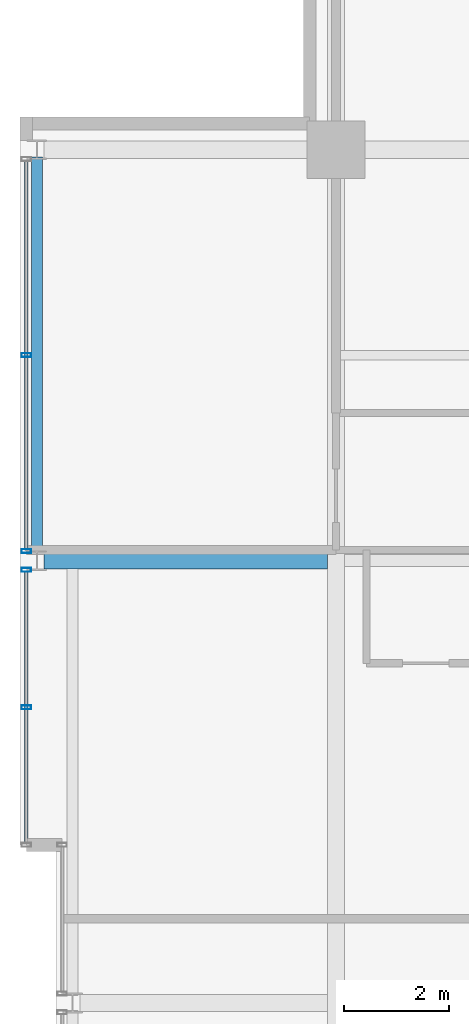
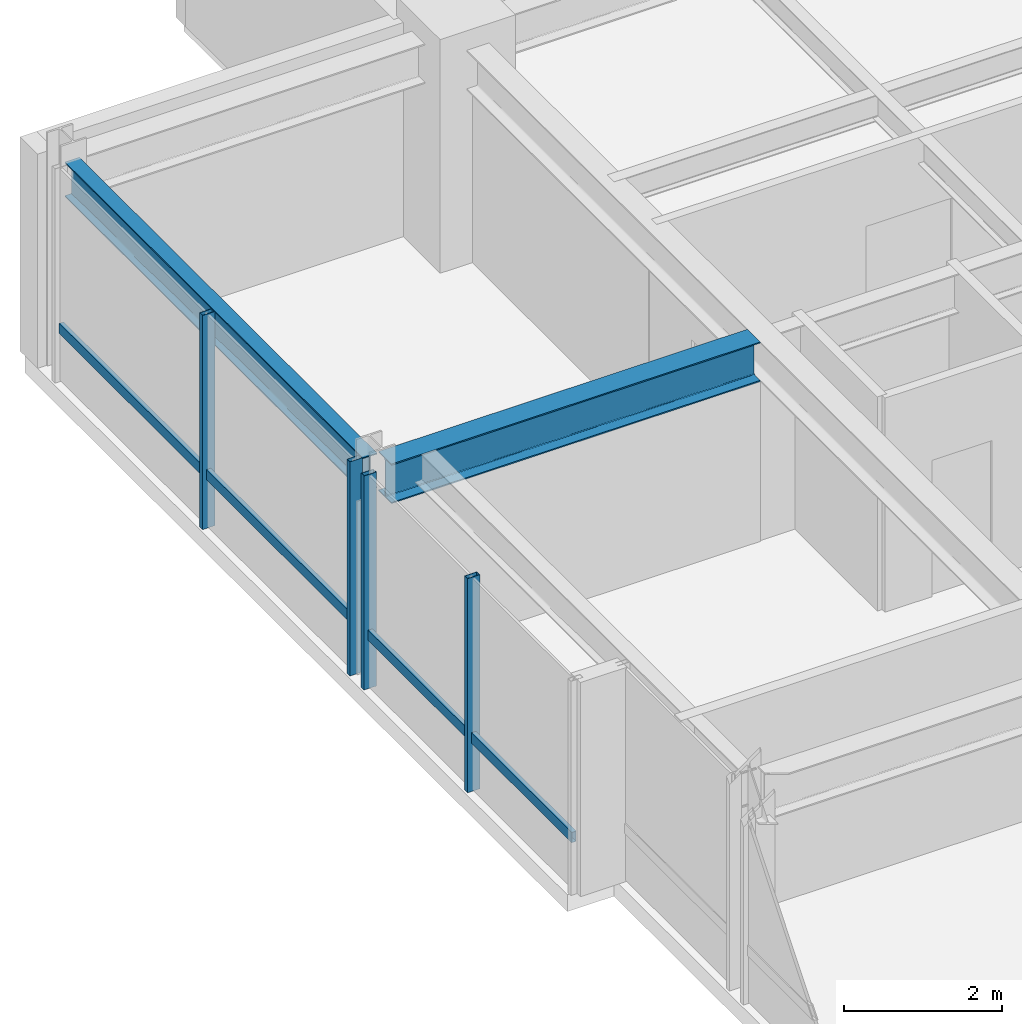
# One storey, part 19 of 34: 6 members, 2 beams, 2 elements without a shape of their own.
"""IFC4 building model written with IfcOpenShell, lengths in metres."""

from ifc_helpers import new_model, si_unit, direction, frame, origin, origin_2d, place, context, subcontext, project, spatial, hollow_rectangle, i_section, extrude, material, layer, layer_set, material_profile, profile_set, type_object, element, aggregate, save


model = new_model("IFC4")

# Units and contexts
model_context = context("Model", 3, precision=1e-05, world=origin(), true_north=direction((0.0, 1.0)))
body_context = subcontext(model_context, "Body", "Model", "MODEL_VIEW")
ifc_project = project(units=[si_unit("LENGTHUNIT", "METRE"), si_unit("AREAUNIT", "SQUARE_METRE"), si_unit("VOLUMEUNIT", "CUBIC_METRE"), si_unit("PLANEANGLEUNIT", "RADIAN"), si_unit("MASSUNIT", "GRAM", prefix="KILO")], contexts=[model_context])

# Site, building, storey
site_placement = place(None, origin())
site = spatial("IfcSite", under=ifc_project, at=site_placement, CompositionType="ELEMENT")
building_placement = place(site_placement, origin())
building = spatial("IfcBuilding", under=site, at=building_placement, Name="Drelvath Grand Hotel", CompositionType="ELEMENT")
storey_placement = place(building_placement, frame((0.0, 0.0, 251.89990234375)))
storey = spatial("IfcBuildingStorey", under=building, at=storey_placement, Name="L66", CompositionType="ELEMENT", Elevation=251.89990234375)

# Curtain wall, member
ifc_material_1 = material(Name="Platinum-Mist Anodised Aluminium Frame", Category="aluminium")
ifc_layer = layer(ifc_material_1, 0.199951171875)
ifc_layer_set = layer_set([ifc_layer], Name="Platinum-Mist Anodised Aluminium Frame")
curtain_wall_type = type_object("IfcCurtainWallType", Name="Stick Curtain Wall CW-05 Platinum Mist High-Rise", PredefinedType="NOTDEFINED", material=ifc_layer_set)
curtain_wall_1_placement = place(storey_placement, origin())
curtain_wall_1 = element("IfcCurtainWall", 1, at=curtain_wall_1_placement, inside=storey, type_object=curtain_wall_type, Name="L66 CW-05 Curtain Wall CW05-L66-WN1", PredefinedType="NOTDEFINED")
ifc_material_profile_1 = material_profile(ifc_material_1, hollow_rectangle(XDim=0.06494140625, YDim=0.159912109375, WallThickness=0.00390625, at=origin_2d()), Name="HSS160X65X4")
ifc_profile_set_1 = profile_set([ifc_material_profile_1], Name="Platinum-Mist Anodised Aluminium Frame")
member_type_1 = type_object("IfcMemberType", Name="Curtain Wall Horizontal Transom CW-05 HSS160X65X4", PredefinedType="USERDEFINED", material=ifc_profile_set_1)
member_1_placement = place(storey_placement, frame((-22.080078125, 30.0400390625, 0.8251953125), z_axis=(0.0, 1.0, 0.0), x_axis=(-1.0, 0.0, 0.0)))
member_1 = element("IfcMember", 2, at=member_1_placement, type_object=member_type_1, Name="CW05-L66-WN1 Sill Transom", ObjectType="TRANSOM", PredefinedType="USERDEFINED", context=body_context, shape_type="SweptSolid", body=[
    extrude(hollow_rectangle(XDim=0.06494140625, YDim=0.159912109375, WallThickness=0.00390625, at=origin_2d()), origin(), (0.0, 0.0, 1.0), 5.141845703125),
])

curtain_wall_2_placement = place(storey_placement, origin())
curtain_wall_2 = element("IfcCurtainWall", 3, at=curtain_wall_2_placement, inside=storey, type_object=curtain_wall_type, Name="L66 CW-05 Curtain Wall CW05-L66-WN2", PredefinedType="NOTDEFINED")
member_2_placement = place(storey_placement, frame((-22.080078125, 35.6181640625, 0.8251953125), z_axis=(0.0, 1.0, 0.0), x_axis=(-1.0, 0.0, 0.0)))
member_2 = element("IfcMember", 4, at=member_2_placement, type_object=member_type_1, Name="CW05-L66-WN2 Sill Transom", ObjectType="TRANSOM", PredefinedType="USERDEFINED", context=body_context, shape_type="SweptSolid", body=[
    extrude(hollow_rectangle(XDim=0.06494140625, YDim=0.159912109375, WallThickness=0.00390625, at=origin_2d()), origin(), (0.0, 0.0, 1.0), 7.363525390625),
])

# Member
ifc_material_profile_2 = material_profile(ifc_material_1, hollow_rectangle(XDim=0.074951171875, YDim=0.179931640625, WallThickness=0.0048828125, at=origin_2d()), Name="HSS180X75X5")
ifc_profile_set_2 = profile_set([ifc_material_profile_2], Name="Platinum-Mist Anodised Aluminium Frame")
member_type_2 = type_object("IfcMemberType", Name="Curtain Wall Vertical Mullion CW-05 HSS180X75X5", PredefinedType="MULLION", material=ifc_profile_set_2)
member_3_placement = place(storey_placement, frame((-22.080078125, 32.61083984375, 0.0), z_axis=(0.0, 0.0, 1.0), x_axis=(0.0, 1.0, 0.0)))
member_3 = element("IfcMember", 5, at=member_3_placement, type_object=member_type_2, Name="CW05-L66-WN1 Mullion 2", PredefinedType="MULLION", context=body_context, shape_type="SweptSolid", body=[
    extrude(hollow_rectangle(XDim=0.074951171875, YDim=0.179931640625, WallThickness=0.0048828125, at=origin_2d()), origin(), (0.0, 0.0, 1.0), 3.300048828125),
])

member_4_placement = place(storey_placement, frame((-22.080078125, 35.2216796875, 0.0), z_axis=(0.0, 0.0, 1.0), x_axis=(0.0, 1.0, 0.0)))
member_4 = element("IfcMember", 6, at=member_4_placement, type_object=member_type_2, Name="CW05-L66-WN1 Mullion 3", PredefinedType="MULLION", context=body_context, shape_type="SweptSolid", body=[
    extrude(hollow_rectangle(XDim=0.074951171875, YDim=0.179931640625, WallThickness=0.0048828125, at=origin_2d()), origin(), (0.0, 0.0, 1.0), 3.300048828125),
])

aggregate(curtain_wall_1, [member_3, member_4, member_1])

member_5_placement = place(storey_placement, frame((-22.080078125, 35.578125, 0.0), z_axis=(0.0, 0.0, 1.0), x_axis=(0.0, 1.0, 0.0)))
member_5 = element("IfcMember", 7, at=member_5_placement, type_object=member_type_2, Name="CW05-L66-WN2 Mullion 1", PredefinedType="MULLION", context=body_context, shape_type="SweptSolid", body=[
    extrude(hollow_rectangle(XDim=0.074951171875, YDim=0.179931640625, WallThickness=0.0048828125, at=origin_2d()), origin(), (0.0, 0.0, 1.0), 3.300048828125),
])

member_6_placement = place(storey_placement, frame((-22.080078125, 39.300048828125, 0.0), z_axis=(0.0, 0.0, 1.0), x_axis=(0.0, 1.0, 0.0)))
member_6 = element("IfcMember", 8, at=member_6_placement, type_object=member_type_2, Name="CW05-L66-WN2 Mullion 2", PredefinedType="MULLION", context=body_context, shape_type="SweptSolid", body=[
    extrude(hollow_rectangle(XDim=0.074951171875, YDim=0.179931640625, WallThickness=0.0048828125, at=origin_2d()), origin(), (0.0, 0.0, 1.0), 3.300048828125),
])

aggregate(curtain_wall_2, [member_5, member_6, member_2])

# Beams
ifc_material_2 = material(Name="Steel ASTM A992 Gr 50", Category="steel")
ifc_material_profile_3 = material_profile(ifc_material_2, i_section(OverallWidth=0.210205078125, OverallDepth=0.53662109375, WebThickness=0.010986328125, FlangeThickness=0.017333984375, FilletRadius=0.01806640625, at=origin_2d()), Name="W21X68")
ifc_profile_set_3 = profile_set([ifc_material_profile_3], Name="Steel ASTM A992 Gr 50")
beam_type_1 = type_object("IfcBeamType", Name="Perimeter Spandrel Beam W21X68", PredefinedType="SPANDREL", material=ifc_profile_set_3)
beam_1_placement = place(storey_placement, frame((-21.8798828125, 35.5400390625, 3.03173828125), z_axis=(0.0, 1.0, 0.0), x_axis=(-1.0, 0.0, 0.0)))
element("IfcBeam", 9, at=beam_1_placement, inside=storey, type_object=beam_type_1, Name="L66 Spandrel West N", PredefinedType="SPANDREL", context=body_context, shape_type="SweptSolid", body=[
    extrude(i_section(OverallWidth=0.210205078125, OverallDepth=0.53662109375, WebThickness=0.010986328125, FlangeThickness=0.017333984375, FilletRadius=0.01806640625, at=origin_2d()), origin(), (0.0, 0.0, 1.0), 7.52001953125),
])
ifc_material_profile_4 = material_profile(ifc_material_2, i_section(OverallWidth=0.323974609375, OverallDepth=0.611083984375, WebThickness=0.0126953125, FlangeThickness=0.01904296875, FilletRadius=0.02197265625, at=origin_2d()), Name="W24X104")
ifc_profile_set_4 = profile_set([ifc_material_profile_4], Name="Steel ASTM A992 Gr 50")
beam_type_2 = type_object("IfcBeamType", Name="Primary Floor Girder W24X104", PredefinedType="BEAM", material=ifc_profile_set_4)
beam_2_placement = place(storey_placement, frame((-21.739990234375, 35.39990234375, 2.994384765625), z_axis=(1.0, 0.0, 0.0), x_axis=(0.0, 1.0, 0.0)))
element("IfcBeam", 10, at=beam_2_placement, inside=storey, type_object=beam_type_2, Name="L66 West Wing Girder F", PredefinedType="BEAM", context=body_context, shape_type="SweptSolid", body=[
    extrude(i_section(OverallWidth=0.323974609375, OverallDepth=0.611083984375, WebThickness=0.0126953125, FlangeThickness=0.01904296875, FilletRadius=0.02197265625, at=origin_2d()), origin(), (0.0, 0.0, 1.0), 5.3779296875),
])

save(model, "model.ifc")
